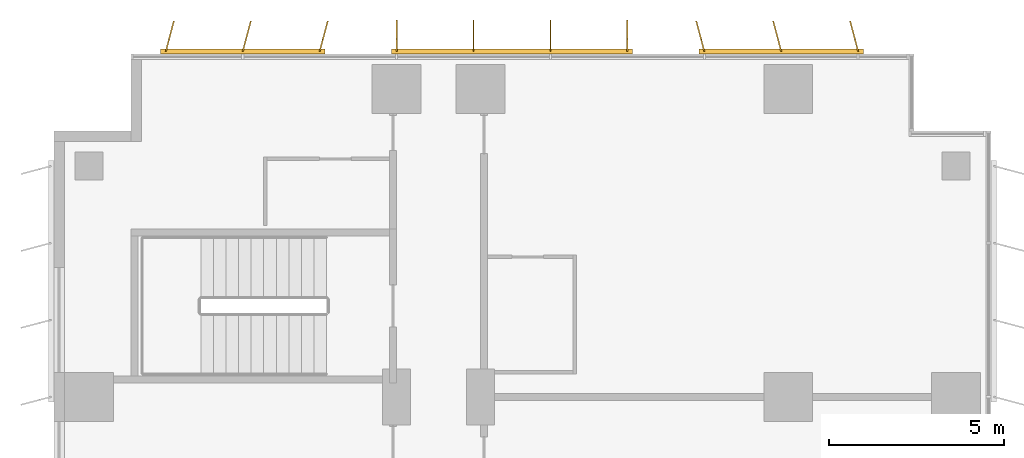
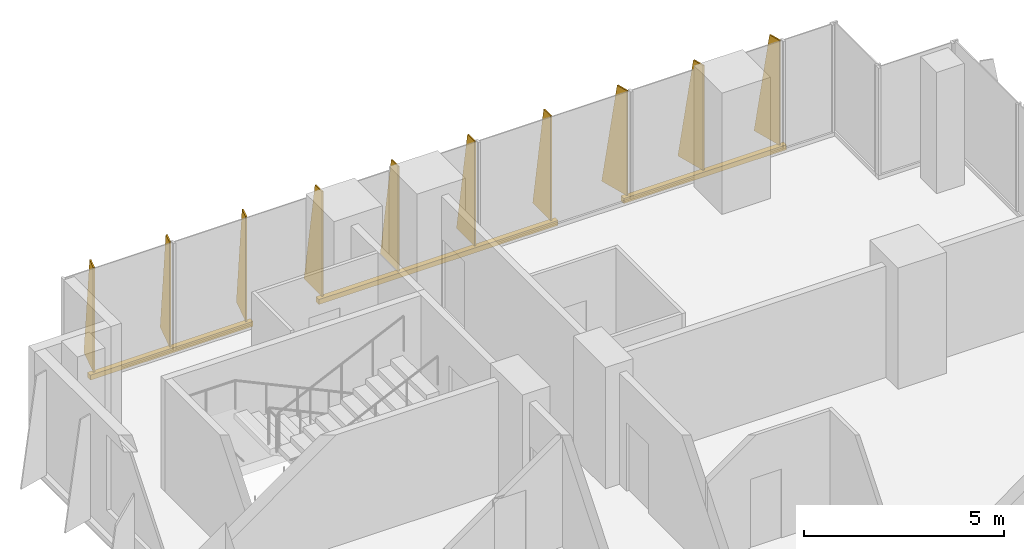
# One storey, part 24 of 24: 3 shading devices.
"""IFC4 building model written with IfcOpenShell, lengths in metres."""

from ifc_helpers import new_model, si_unit, direction, frame, origin, origin_2d, place, context, subcontext, project, spatial, polyline, rectangle, outline, extrude, source, transform, mapped, material, layer, layer_set, type_object, element, save


model = new_model("IFC4")

# Units and contexts
model_context = context("Model", 3, precision=1e-05, world=origin(), true_north=direction((0.0, 1.0)))
body_context = subcontext(model_context, "Body", "Model", "MODEL_VIEW")
ifc_project = project(units=[si_unit("LENGTHUNIT", "METRE"), si_unit("AREAUNIT", "SQUARE_METRE"), si_unit("VOLUMEUNIT", "CUBIC_METRE"), si_unit("PLANEANGLEUNIT", "RADIAN"), si_unit("MASSUNIT", "GRAM", prefix="KILO")], contexts=[model_context])

# Site, building, storey
site_placement = place(None, origin())
site = spatial("IfcSite", under=ifc_project, at=site_placement, CompositionType="ELEMENT")
building_placement = place(site_placement, origin())
building = spatial("IfcBuilding", under=site, at=building_placement, Name="Kemantara Hotel Tower", CompositionType="ELEMENT")
storey_placement = place(building_placement, frame((0.0, 0.0, 52.5)))
storey = spatial("IfcBuildingStorey", under=building, at=storey_placement, Name="L11", CompositionType="ELEMENT", Elevation=52.5)

# Shading devices
ifc_material = material(Name="Perforated aluminium plate 4 mm bronze anodised", Category="aluminium")
ifc_layer_1 = layer(ifc_material, 0.0400390625)
ifc_layer_set_1 = layer_set([ifc_layer_1], Name="Perforated aluminium plate 4 mm bronze anodised")
shading_device_type_1 = type_object("IfcShadingDeviceType", Name="SCREEN FIN CASSETTE, 3 BLADES AT -15.0 DEG, 3200 HIGH", PredefinedType="USERDEFINED", material=ifc_layer_set_1)
shared_shape_1 = source(origin(), body_context, "Body", "SweptSolid", [
    extrude(rectangle(XDim=4.699951171875, YDim=0.14990234375, at=origin_2d()), frame((2.199951171875, -0.074951171875, -0.14990234375), z_axis=(0.0, 0.0, 1.0), x_axis=(1.0, 0.0, 0.0)), (0.0, 0.0, 1.0), 0.14990234375),
    extrude(outline(polyline([(0.0, 0.0), (0.89990234375, 0.0), (0.35009765625, 3.199951171875), (0.0, 3.199951171875), (0.0, 0.0)])), frame((0.019287109375, -0.080078125, 0.0), z_axis=(-0.966437683387, 0.256901156343, 0.0), x_axis=(-0.256901156343, -0.966437683387, 0.0)), (0.0, 0.0, 1.0), 0.039794921875),
    extrude(outline(polyline([(0.0, 0.0), (0.89990234375, 0.0), (0.35009765625, 3.199951171875), (0.0, 3.199951171875), (0.0, 0.0)])), frame((2.21923828125, -0.080078125, 0.0), z_axis=(-0.966437683387, 0.256901156343, 0.0), x_axis=(-0.256901156343, -0.966437683387, 0.0)), (0.0, 0.0, 1.0), 0.039794921875),
    extrude(outline(polyline([(0.0, 0.0), (0.89990234375, 0.0), (0.35009765625, 3.199951171875), (0.0, 3.199951171875), (0.0, 0.0)])), frame((4.41943359375, -0.080078125, 0.0), z_axis=(-0.966837822169, 0.255391122837, 0.0), x_axis=(-0.255391122837, -0.966837822169, 0.0)), (0.0, 0.0, 1.0), 0.0400390625),
])
shading_device_1_placement = place(storey_placement, frame((7.60009765625, 81.199951171875, 0.10009765625), z_axis=(0.0, 0.0, 1.0), x_axis=(-1.0, 0.0, 0.0)))
element("IfcShadingDevice", 1, at=shading_device_1_placement, inside=storey, type_object=shading_device_type_1, Name="SCREEN FIN CASSETTE L11 T1-R11-3", ObjectType="SCREEN FIN", PredefinedType="USERDEFINED", context=body_context, shape_type="MappedRepresentation", body=[
    mapped(shared_shape_1, transform((0.0, 0.0, 0.0))),
])
ifc_layer_2 = layer(ifc_material, 0.0400390625)
ifc_layer_set_2 = layer_set([ifc_layer_2], Name="Perforated aluminium plate 4 mm bronze anodised")
shading_device_type_2 = type_object("IfcShadingDeviceType", Name="SCREEN FIN CASSETTE, 4 BLADES AT +0.0 DEG, 3200 HIGH", PredefinedType="USERDEFINED", material=ifc_layer_set_2)
shared_shape_2 = source(origin(), body_context, "Body", "SweptSolid", [
    extrude(rectangle(XDim=6.89990234375, YDim=0.14990234375, at=origin_2d()), frame((3.300048828125, -0.074951171875, -0.14990234375), z_axis=(0.0, 0.0, 1.0), x_axis=(1.0, 0.0, 0.0)), (0.0, 0.0, 1.0), 0.14990234375),
    extrude(outline(polyline([(0.0, 0.0), (0.89990234375, 0.0), (0.35009765625, 3.199951171875), (0.0, 3.199951171875), (0.0, 0.0)])), frame((0.02001953125, -0.074951171875, 0.0), z_axis=(-1.0, 0.0, 0.0), x_axis=(0.0, -1.0, 0.0)), (0.0, 0.0, 1.0), 0.0400390625),
    extrude(outline(polyline([(0.0, 0.0), (0.89990234375, 0.0), (0.35009765625, 3.199951171875), (0.0, 3.199951171875), (0.0, 0.0)])), frame((2.219970703125, -0.074951171875, 0.0), z_axis=(-1.0, 0.0, 0.0), x_axis=(0.0, -1.0, 0.0)), (0.0, 0.0, 1.0), 0.0400390625),
    extrude(outline(polyline([(0.0, 0.0), (0.89990234375, 0.0), (0.35009765625, 3.199951171875), (0.0, 3.199951171875), (0.0, 0.0)])), frame((4.419921875, -0.074951171875, 0.0), z_axis=(-1.0, 0.0, 0.0), x_axis=(0.0, -1.0, 0.0)), (0.0, 0.0, 1.0), 0.0400390625),
    extrude(outline(polyline([(0.0, 0.0), (0.89990234375, 0.0), (0.35009765625, 3.199951171875), (0.0, 3.199951171875), (0.0, 0.0)])), frame((6.6201171875, -0.074951171875, 0.0), z_axis=(-1.0, 0.0, 0.0), x_axis=(0.0, -1.0, 0.0)), (0.0, 0.0, 1.0), 0.0400390625),
])
shading_device_2_placement = place(storey_placement, frame((16.39990234375, 81.199951171875, 0.10009765625), z_axis=(0.0, 0.0, 1.0), x_axis=(-1.0, 0.0, 0.0)))
element("IfcShadingDevice", 2, at=shading_device_2_placement, inside=storey, type_object=shading_device_type_2, Name="SCREEN FIN CASSETTE L11 T1-R11-2", ObjectType="SCREEN FIN", PredefinedType="USERDEFINED", context=body_context, shape_type="MappedRepresentation", body=[
    mapped(shared_shape_2, transform((0.0, 0.0, 0.0))),
])
ifc_layer_3 = layer(ifc_material, 0.0400390625)
ifc_layer_set_3 = layer_set([ifc_layer_3], Name="Perforated aluminium plate 4 mm bronze anodised")
shading_device_type_3 = type_object("IfcShadingDeviceType", Name="SCREEN FIN CASSETTE, 3 BLADES AT +15.0 DEG, 3200 HIGH", PredefinedType="USERDEFINED", material=ifc_layer_set_3)
shared_shape_3 = source(origin(), body_context, "Body", "SweptSolid", [
    extrude(rectangle(XDim=4.699951171875, YDim=0.14990234375, at=origin_2d()), frame((2.199951171875, -0.074951171875, -0.14990234375), z_axis=(0.0, 0.0, 1.0), x_axis=(1.0, 0.0, 0.0)), (0.0, 0.0, 1.0), 0.14990234375),
    extrude(outline(polyline([(0.0, 0.0), (0.89990234375, 0.0), (0.35009765625, 3.199951171875), (0.0, 3.199951171875), (0.0, 0.0)])), frame((0.019287109375, -0.06982421875, 0.0), z_axis=(-0.966437683387, -0.256901156343, 0.0), x_axis=(0.256901156343, -0.966437683387, 0.0)), (0.0, 0.0, 1.0), 0.039794921875),
    extrude(outline(polyline([(0.0, 0.0), (0.89990234375, 0.0), (0.35009765625, 3.199951171875), (0.0, 3.199951171875), (0.0, 0.0)])), frame((2.21923828125, -0.06982421875, 0.0), z_axis=(-0.966437683387, -0.256901156343, 0.0), x_axis=(0.256901156343, -0.966437683387, 0.0)), (0.0, 0.0, 1.0), 0.039794921875),
    extrude(outline(polyline([(0.0, 0.0), (0.89990234375, 0.0), (0.35009765625, 3.199951171875), (0.0, 3.199951171875), (0.0, 0.0)])), frame((4.41943359375, -0.06982421875, 0.0), z_axis=(-0.966837822169, -0.255391122837, 0.0), x_axis=(0.255391122837, -0.966837822169, 0.0)), (0.0, 0.0, 1.0), 0.0400390625),
])
shading_device_3_placement = place(storey_placement, frame((23.0, 81.199951171875, 0.10009765625), z_axis=(0.0, 0.0, 1.0), x_axis=(-1.0, 0.0, 0.0)))
element("IfcShadingDevice", 3, at=shading_device_3_placement, inside=storey, type_object=shading_device_type_3, Name="SCREEN FIN CASSETTE L11 T1-R11-1", ObjectType="SCREEN FIN", PredefinedType="USERDEFINED", context=body_context, shape_type="MappedRepresentation", body=[
    mapped(shared_shape_3, transform((0.0, 0.0, 0.0))),
])

save(model, "model.ifc")
